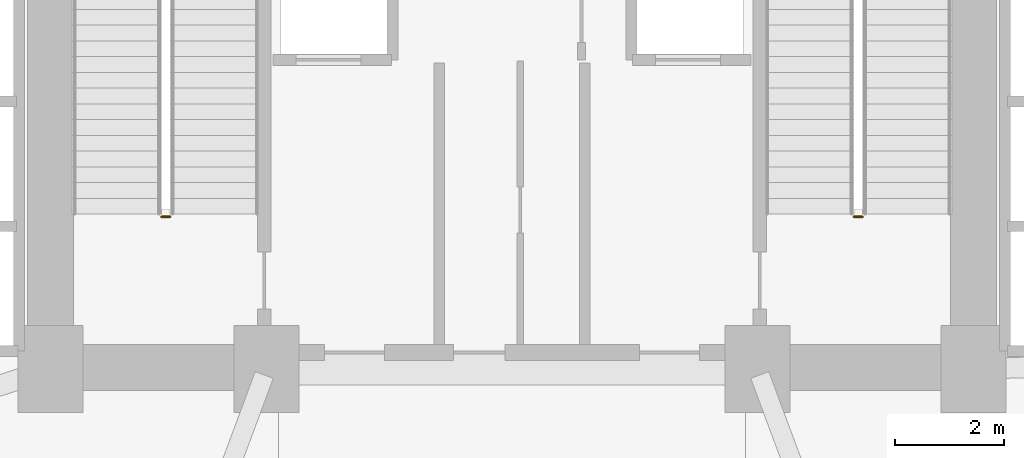
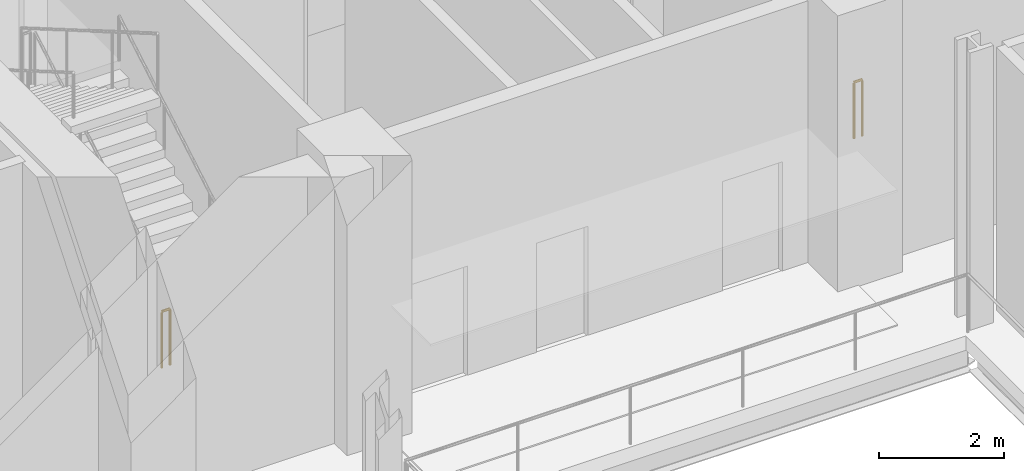
# One storey, part 36 of 40: 2 railings.
"""IFC4 building model written with IfcOpenShell, lengths in metres."""

from ifc_helpers import new_model, si_unit, direction, frame, origin, origin_2d, place, context, subcontext, project, spatial, circle, extrude, material, type_object, element, save


model = new_model("IFC4")

# Units and contexts
model_context = context("Model", 3, precision=1e-05, world=origin(), true_north=direction((0.0, 1.0)))
body_context = subcontext(model_context, "Body", "Model", "MODEL_VIEW")
ifc_project = project(units=[si_unit("LENGTHUNIT", "METRE"), si_unit("AREAUNIT", "SQUARE_METRE"), si_unit("VOLUMEUNIT", "CUBIC_METRE"), si_unit("PLANEANGLEUNIT", "RADIAN"), si_unit("MASSUNIT", "GRAM", prefix="KILO")], contexts=[model_context])

# Site, building, storey
site_placement = place(None, origin())
site = spatial("IfcSite", under=ifc_project, at=site_placement, CompositionType="ELEMENT")
building_placement = place(site_placement, origin())
building = spatial("IfcBuilding", under=site, at=building_placement, Name="Varnelok Gate Tower", CompositionType="ELEMENT")
storey_placement = place(building_placement, frame((0.0, 0.0, 5.39990234375)))
storey = spatial("IfcBuildingStorey", under=building, at=storey_placement, Name="L01", CompositionType="ELEMENT", Elevation=5.39990234375)

# Railings
ifc_material = material(Name="Galvanized Steel Grade S350GD", Category="steel")
railing_type = type_object("IfcRailingType", Name="RL-STAIR-GUARD1120", PredefinedType="GUARDRAIL", material=ifc_material)
for number, where, name in (
    (1, (32.89990234375, 31.550048828125, 0.0), "L01 ST-1 stair guard 4"),
    (2, (45.64990234375, 31.550048828125, 0.0), "L01 ST-2 stair guard 4"),
):
    element("IfcRailing", number, at=place(storey_placement, frame(where)), inside=storey, type_object=railing_type, Name=name, PredefinedType="GUARDRAIL", context=body_context, shape_type="SweptSolid", body=[
        extrude(circle(Radius=0.02392578125, at=origin_2d()), frame((0.0, 0.0, 1.09619140625), z_axis=(-1.0, 0.0, 0.0), x_axis=(0.0, -1.0, 0.0)), (0.0, 0.0, 1.0), 0.14990234375),
        extrude(circle(Radius=0.02099609375, at=origin_2d()), origin(), (0.0, 0.0, 1.0), 1.072021484375),
        extrude(circle(Radius=0.02099609375, at=origin_2d()), frame((-0.14990234375, 0.0, 0.0)), (0.0, 0.0, 1.0), 1.072021484375),
    ])

save(model, "model.ifc")
